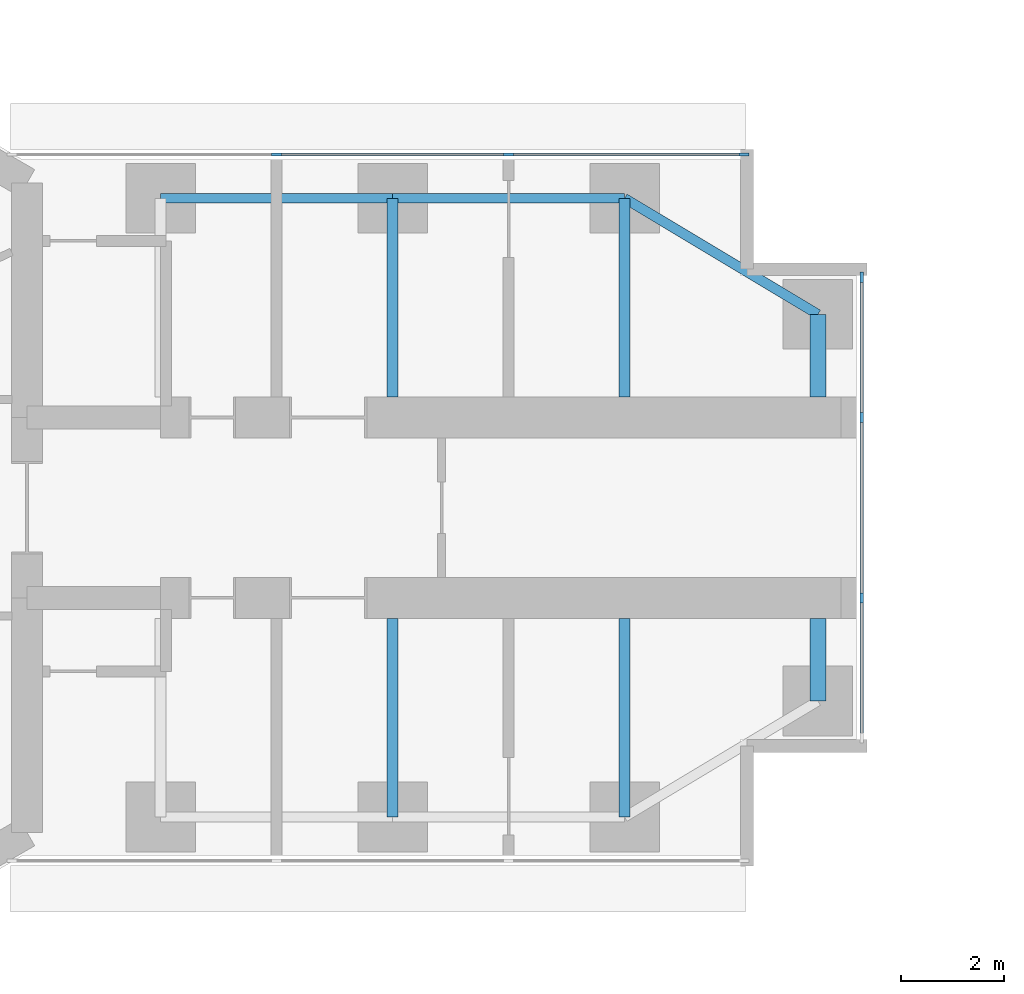
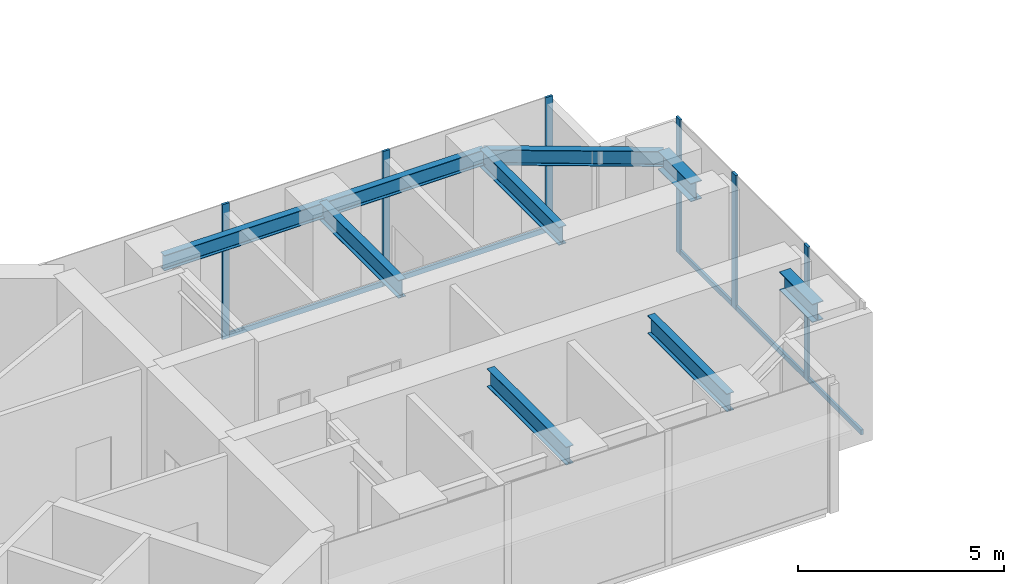
# One storey, part 7 of 21: 11 members, 9 beams, 2 elements without a shape of their own.
"""IFC4 building model written with IfcOpenShell, lengths in metres."""

import ifcopenshell
import ifcopenshell.guid

model = None  # the IFC model being written
_history = None  # IfcOwnerHistory: only IFC2X3 demands one
_inside = {}  # id of a spatial element -> (the spatial element, [elements in it])
_under = {}  # id of a project, library or spatial element -> (it, [spatial elements below it])
_declared = {}  # id of a project -> (the project, [libraries it declares])
_typed = {}  # id of a type object -> (the type object, [elements of that type])
_made_of = {}  # id of a material, layer set ... -> (it, [elements and type objects made of it])


def new_model(schema):
    """Start an empty IFC model of exactly this schema.

    Asked for "IFC4X3", IfcOpenShell would pick the latest addendum, in which some entities
    have other attributes; the version numbers below select the first issue.
    IFC2X3 requires an IfcOwnerHistory on every rooted entity: one is made here for all.
    """
    global model, _history
    if schema == "IFC4X3":
        model = ifcopenshell.file(schema_version=(4, 3, 0, 0))
    else:
        model = ifcopenshell.file(schema=schema)
    _inside.clear()
    _under.clear()
    _declared.clear()
    _typed.clear()
    _made_of.clear()
    _history = None
    if model.schema == "IFC2X3":
        org = make("IfcOrganization", Name="unknown")
        user = make(
            "IfcPersonAndOrganization",
            ThePerson=make("IfcPerson", FamilyName="unknown"),
            TheOrganization=org,
        )
        app = make(
            "IfcApplication",
            ApplicationDeveloper=org,
            Version="unknown",
            ApplicationFullName="unknown",
            ApplicationIdentifier="unknown",
        )
        _history = make(
            "IfcOwnerHistory",
            OwningUser=user,
            OwningApplication=app,
            ChangeAction="ADDED",
            CreationDate=0,
        )
    return model


def make(cls, **values):
    """One entity of the class cls with the attributes given. An attribute that is None is left unset."""
    return model.create_entity(
        cls, **{name: value for name, value in values.items() if value is not None}
    )


def rooted(cls, **values):
    """An entity with a GlobalId (a new one), such as an element, a storey or a relation."""
    return make(cls, GlobalId=ifcopenshell.guid.new(), OwnerHistory=_history, **values)


def si_unit(unit_type, name, prefix=None):
    """IfcSIUnit, for example si_unit("LENGTHUNIT", "METRE", prefix="MILLI")."""
    return make("IfcSIUnit", UnitType=unit_type, Prefix=prefix, Name=name)


def assignment(units):
    """IfcUnitAssignment: the units of a project."""
    return None if units is None else make("IfcUnitAssignment", Units=units)


def point(xyz):
    """IfcCartesianPoint."""
    return None if xyz is None else make("IfcCartesianPoint", Coordinates=xyz)


def direction(xyz):
    """IfcDirection."""
    return None if xyz is None else make("IfcDirection", DirectionRatios=xyz)


def frame(location, z_axis=None, x_axis=None):
    """IfcAxis2Placement3D, a coordinate frame: its origin and axes. An axis left out is left unset."""
    return make(
        "IfcAxis2Placement3D",
        Location=point(location),
        Axis=direction(z_axis),
        RefDirection=direction(x_axis),
    )


def frame_2d(location, x_axis=None):
    """IfcAxis2Placement2D, a coordinate frame in the plane: its origin and x axis."""
    return make(
        "IfcAxis2Placement2D", Location=point(location), RefDirection=direction(x_axis)
    )


def origin():
    """The frame at (0, 0, 0) with its axes left unset."""
    return frame((0.0, 0.0, 0.0))


def origin_2d():
    """The frame at (0, 0) in the plane with its x axis left unset."""
    return frame_2d((0.0, 0.0))


def place(relative_to, where):
    """IfcLocalPlacement: puts the frame where relative to a parent placement (None: the world)."""
    return make(
        "IfcLocalPlacement", PlacementRelTo=relative_to, RelativePlacement=where
    )


def context(
    kind, dimensions, precision=None, world=None, true_north=None, identifier=None
):
    """IfcGeometricRepresentationContext, for example the 3D "Model" context."""
    return make(
        "IfcGeometricRepresentationContext",
        ContextIdentifier=identifier,
        ContextType=kind,
        CoordinateSpaceDimension=dimensions,
        Precision=precision,
        WorldCoordinateSystem=world,
        TrueNorth=true_north,
    )


def subcontext(parent, identifier, kind, view, scale=None):
    """IfcGeometricRepresentationSubContext, for example "Body" below "Model"."""
    return make(
        "IfcGeometricRepresentationSubContext",
        ContextIdentifier=identifier,
        ContextType=kind,
        ParentContext=parent,
        TargetScale=scale,
        TargetView=view,
    )


def project(units=None, contexts=None):
    """IfcProject with its units and contexts."""
    return rooted(
        "IfcProject",
        Name="project",
        RepresentationContexts=contexts,
        UnitsInContext=assignment(units),
    )


def spatial(cls, under=None, at=None, **own):
    """A site, building, storey or space (cls), placed at a placement, below another one or the project."""
    s = rooted(cls, ObjectPlacement=at, **own)
    if under is not None:
        _under.setdefault(under.id(), (under, []))[1].append(s)
    return s


def profile(cls, at=None, kind="AREA", **sizes):
    """A parametric profile (cls). Its sizes go by their IFC names, for example OverallWidth=200.0."""
    return make(cls, ProfileType=kind, Position=at, **sizes)


def rectangle(**sizes):
    """IfcRectangleProfileDef."""
    return profile("IfcRectangleProfileDef", **sizes)


def i_section(**sizes):
    """IfcIShapeProfileDef."""
    return profile("IfcIShapeProfileDef", **sizes)


def extrude(swept, where, along, depth):
    """IfcExtrudedAreaSolid: the profile swept, set in the frame where, extruded along a direction by depth."""
    return make(
        "IfcExtrudedAreaSolid",
        SweptArea=swept,
        Position=where,
        ExtrudedDirection=direction(along),
        Depth=depth,
    )


def shape(context_of_items, identifier, shape_type, items):
    """IfcShapeRepresentation: the items that make up one representation, for example the "Body"."""
    return make(
        "IfcShapeRepresentation",
        ContextOfItems=context_of_items,
        RepresentationIdentifier=identifier,
        RepresentationType=shape_type,
        Items=items,
    )


def material(Name=None, Category=None):
    """IfcMaterial."""
    return make("IfcMaterial", Name=Name, Category=Category)


def material_profile(
    of_material, cross_section, Name=None, Category=None, Priority=None
):
    """IfcMaterialProfile: a cross section and its material."""
    return make(
        "IfcMaterialProfile",
        Name=Name,
        Material=of_material,
        Profile=cross_section,
        Priority=Priority,
        Category=Category,
    )


def profile_set(profiles, Name=None, composite=None):
    """IfcMaterialProfileSet."""
    return make(
        "IfcMaterialProfileSet",
        Name=Name,
        MaterialProfiles=profiles,
        CompositeProfile=composite,
    )


def made_of(thing, what):
    """Note that an element or type object is made of a material, layer set ...; save() writes the relation."""
    if what is not None:
        _made_of.setdefault(what.id(), (what, []))[1].append(thing)
    return thing


def type_object(cls, material=None, **own):
    """A type object (cls), such as IfcWallType, which elements share."""
    return made_of(rooted(cls, **own), material)


def element(
    cls,
    number,
    at=None,
    inside=None,
    cuts=None,
    type_object=None,
    material=None,
    context=None,
    identifier="Body",
    shape_type=None,
    held_by="IfcProductDefinitionShape",
    body=None,
    shapes=None,
    **own,
):
    """One element of the class cls, such as IfcWall. Its Tag is "e" and its number.

    at: its placement. inside: the storey or other place that contains it. cuts: it is an
    opening in that element (IfcRelVoidsElement). A single representation is given by context,
    identifier, shape_type and body (its items); several are given by shapes. held_by: the class
    of the entity that holds the representations. save() writes the other relations.
    """
    e = rooted(cls, Tag="e%d" % number, ObjectPlacement=at, **own)
    if body is not None:
        shapes = [shape(context, identifier, shape_type, body)]
    if shapes is not None:
        e.Representation = make(held_by, Representations=shapes)
    if inside is not None:
        _inside.setdefault(inside.id(), (inside, []))[1].append(e)
    if cuts is not None:
        rooted(
            "IfcRelVoidsElement", RelatingBuildingElement=cuts, RelatedOpeningElement=e
        )
    if type_object is not None:
        _typed.setdefault(type_object.id(), (type_object, []))[1].append(e)
    return made_of(e, material)


def aggregate(whole, parts):
    """IfcRelAggregates: a whole, such as a stair, and the parts it consists of."""
    return rooted("IfcRelAggregates", RelatingObject=whole, RelatedObjects=parts)


def save(model, path):
    """Write the relations noted so far, then the file.

    IfcRelAggregates (storeys below a building ...), IfcRelContainedInSpatialStructure (elements
    in a storey), IfcRelDefinesByType, IfcRelAssociatesMaterial and IfcRelDeclares: one each for
    every whole, place, type object, material and project.
    """
    for whole, parts in _under.values():
        aggregate(whole, parts)
    for where, things in _inside.values():
        rooted(
            "IfcRelContainedInSpatialStructure",
            RelatedElements=things,
            RelatingStructure=where,
        )
    for kind, things in _typed.values():
        rooted("IfcRelDefinesByType", RelatedObjects=things, RelatingType=kind)
    for what, things in _made_of.values():
        rooted("IfcRelAssociatesMaterial", RelatedObjects=things, RelatingMaterial=what)
    for by, libraries in _declared.values():
        rooted("IfcRelDeclares", RelatingContext=by, RelatedDefinitions=libraries)
    model.write(path)


model = new_model("IFC4")

# Units and contexts
model_context = context("Model", 3, precision=1e-05, world=origin(), true_north=direction((0.0, 1.0)))
body_context = subcontext(model_context, "Body", "Model", "MODEL_VIEW")
ifc_project = project(units=[si_unit("LENGTHUNIT", "METRE"), si_unit("AREAUNIT", "SQUARE_METRE"), si_unit("VOLUMEUNIT", "CUBIC_METRE"), si_unit("PLANEANGLEUNIT", "RADIAN"), si_unit("MASSUNIT", "GRAM", prefix="KILO")], contexts=[model_context])

# Site, building, storey
site_placement = place(None, origin())
site = spatial("IfcSite", under=ifc_project, at=site_placement, CompositionType="ELEMENT")
building_placement = place(site_placement, origin())
building = spatial("IfcBuilding", under=site, at=building_placement, Name="Upepo Twin Towers", CompositionType="ELEMENT")
storey_placement = place(building_placement, frame((0.0, 0.0, 113.5)))
storey = spatial("IfcBuildingStorey", under=building, at=storey_placement, Name="L27", CompositionType="ELEMENT", Elevation=113.5)

# Beams
ifc_material_1 = material(Name="Steel S355", Category="steel")
ifc_material_profile_1 = material_profile(ifc_material_1, i_section(OverallWidth=0.1904296875, OverallDepth=0.45703125, WebThickness=0.009033203125, FlangeThickness=0.014404296875, FilletRadius=0.01025390625, at=origin_2d()), Name="UB 457x191x74")
ifc_profile_set_1 = profile_set([ifc_material_profile_1], Name="Steel S355")
beam_type_1 = type_object("IfcBeamType", Name="Beam UB 457x191x74", PredefinedType="BEAM", material=ifc_profile_set_1)
for number, where, z_axis, x_axis, name in (
    (1, (13.5, 6.0, 3.571533203125), (1.0, 0.0, 0.0), (0.0, 1.0, 0.0), "T1 edge beam AL 13.5-18.0"),
    (2, (18.0, 6.0, 3.571533203125), (1.0, 0.0, 0.0), (0.0, 1.0, 0.0), "T1 edge beam AL 18.0-22.5"),
):
    element("IfcBeam", number, at=place(storey_placement, frame(where, z_axis=z_axis, x_axis=x_axis)), inside=storey, type_object=beam_type_1, Name=name, PredefinedType="BEAM", context=body_context, shape_type="SweptSolid", body=[
        extrude(i_section(OverallWidth=0.1904296875, OverallDepth=0.45703125, WebThickness=0.009033203125, FlangeThickness=0.014404296875, FilletRadius=0.01025390625, at=origin_2d()), origin(), (0.0, 0.0, 1.0), 4.5),
    ])
beam_placement = place(storey_placement, frame((22.5, 6.0, 3.571533203125), z_axis=(0.857492925713, -0.514495755428, 0.0), x_axis=(0.514495755428, 0.857492925713, 0.0)))
element("IfcBeam", 3, at=beam_placement, inside=storey, type_object=beam_type_1, Name="T1 nose edge beam AL", PredefinedType="BEAM", context=body_context, shape_type="SweptSolid", body=[
    extrude(i_section(OverallWidth=0.1904296875, OverallDepth=0.45703125, WebThickness=0.009033203125, FlangeThickness=0.014404296875, FilletRadius=0.01025390625, at=origin_2d()), origin(), (0.0, 0.0, 1.0), 4.373291015625),
])
ifc_material_2 = material(Name="Steel S355", Category="steel")
ifc_material_profile_2 = material_profile(ifc_material_2, i_section(OverallWidth=0.209228515625, OverallDepth=0.533203125, WebThickness=0.010009765625, FlangeThickness=0.015625, FilletRadius=0.0126953125, at=origin_2d()), Name="UB 533x210x92")
ifc_profile_set_2 = profile_set([ifc_material_profile_2], Name="Steel S355")
beam_type_2 = type_object("IfcBeamType", Name="Beam UB 533x210x92", PredefinedType="BEAM", material=ifc_profile_set_2)
for number, where, z_axis, x_axis, name in (
    (4, (18.0, 6.0, 3.533447265625), (0.0, -1.0, 0.0), (1.0, 0.0, 0.0), "T1 girder AL at 18.0"),
    (5, (22.5, 6.0, 3.533447265625), (0.0, -1.0, 0.0), (1.0, 0.0, 0.0), "T1 girder AL at 22.5"),
    (6, (18.0, -6.0, 3.533447265625), (0.0, 1.0, 0.0), (-1.0, 0.0, 0.0), "T1 girder AR at 18.0"),
    (7, (22.5, -6.0, 3.533447265625), (0.0, 1.0, 0.0), (-1.0, 0.0, 0.0), "T1 girder AR at 22.5"),
):
    element("IfcBeam", number, at=place(storey_placement, frame(where, z_axis=z_axis, x_axis=x_axis)), inside=storey, type_object=beam_type_2, Name=name, PredefinedType="BEAM", context=body_context, shape_type="SweptSolid", body=[
        extrude(i_section(OverallWidth=0.209228515625, OverallDepth=0.533203125, WebThickness=0.010009765625, FlangeThickness=0.015625, FilletRadius=0.0126953125, at=origin_2d()), origin(), (0.0, 0.0, 1.0), 3.85009765625),
    ])
ifc_material_3 = material(Name="Steel S355", Category="steel")
ifc_material_profile_3 = material_profile(ifc_material_3, i_section(OverallWidth=0.31201171875, OverallDepth=0.54345703125, WebThickness=0.0126953125, FlangeThickness=0.020263671875, FilletRadius=0.0126953125, at=origin_2d()), Name="UB 533x312x150")
ifc_profile_set_3 = profile_set([ifc_material_profile_3], Name="Steel S355")
beam_type_3 = type_object("IfcBeamType", Name="Beam UB 533x312x150", PredefinedType="BEAM", material=ifc_profile_set_3)
for number, where, z_axis, x_axis, name in (
    (8, (26.25, 3.75, 3.5283203125), (0.0, -1.0, 0.0), (1.0, 0.0, 0.0), "T1 nose beam AL"),
    (9, (26.25, -3.75, 3.5283203125), (0.0, 1.0, 0.0), (-1.0, 0.0, 0.0), "T1 nose beam AR"),
):
    element("IfcBeam", number, at=place(storey_placement, frame(where, z_axis=z_axis, x_axis=x_axis)), inside=storey, type_object=beam_type_3, Name=name, PredefinedType="BEAM", context=body_context, shape_type="SweptSolid", body=[
        extrude(i_section(OverallWidth=0.31201171875, OverallDepth=0.54345703125, WebThickness=0.0126953125, FlangeThickness=0.020263671875, FilletRadius=0.0126953125, at=origin_2d()), origin(), (0.0, 0.0, 1.0), 1.60009765625),
    ])

# Curtain wall, members
ifc_material_4 = material(Name="Aluminium and fritted glass", Category="aluminium")
curtain_wall_type = type_object("IfcCurtainWallType", Name="Tower curtain wall TW2, fritted glass", PredefinedType="NOTDEFINED", material=ifc_material_4)
curtain_wall_1_placement = place(storey_placement, origin())
curtain_wall_1 = element("IfcCurtainWall", 10, at=curtain_wall_1_placement, inside=storey, type_object=curtain_wall_type, Name="T1 L27 wing A flank L curtain wall", PredefinedType="NOTDEFINED")
ifc_material_5 = material(Name="Aluminium mullion", Category="aluminium")
ifc_material_profile_4 = material_profile(ifc_material_5, rectangle(XDim=0.06494140625, YDim=0.199951171875, at=origin_2d()), Name="MULLION 65x200")
ifc_profile_set_4 = profile_set([ifc_material_profile_4], Name="Aluminium mullion")
member_type_1 = type_object("IfcMemberType", Name="Mullion 65x200 TW2", PredefinedType="MULLION", material=ifc_profile_set_4)
member_1_placement = place(storey_placement, frame((15.75, 6.85009765625, 0.0), z_axis=(0.0, 0.0, 1.0), x_axis=(0.0, 1.0, 0.0)))
member_1 = element("IfcMember", 11, at=member_1_placement, type_object=member_type_1, Name="T1 L27 wing A flank L curtain wall mullion 2", PredefinedType="MULLION", context=body_context, shape_type="SweptSolid", body=[
    extrude(rectangle(XDim=0.06494140625, YDim=0.199951171875, at=origin_2d()), origin(), (0.0, 0.0, 1.0), 4.0),
])
member_2_placement = place(storey_placement, frame((20.25, 6.85009765625, 0.0), z_axis=(0.0, 0.0, 1.0), x_axis=(0.0, 1.0, 0.0)))
member_2 = element("IfcMember", 12, at=member_2_placement, type_object=member_type_1, Name="T1 L27 wing A flank L curtain wall mullion 3", PredefinedType="MULLION", context=body_context, shape_type="SweptSolid", body=[
    extrude(rectangle(XDim=0.06494140625, YDim=0.199951171875, at=origin_2d()), origin(), (0.0, 0.0, 1.0), 4.0),
])
member_3_placement = place(storey_placement, frame((24.8173828125, 6.85009765625, 0.0), z_axis=(0.0, 0.0, 1.0), x_axis=(0.0, 1.0, 0.0)))
member_3 = element("IfcMember", 13, at=member_3_placement, type_object=member_type_1, Name="T1 L27 wing A flank L curtain wall mullion 4", PredefinedType="MULLION", context=body_context, shape_type="SweptSolid", body=[
    extrude(rectangle(XDim=0.06494140625, YDim=0.199951171875, at=origin_2d()), origin(), (0.0, 0.0, 1.0), 4.0),
])

curtain_wall_2_placement = place(storey_placement, origin())
curtain_wall_2 = element("IfcCurtainWall", 14, at=curtain_wall_2_placement, inside=storey, type_object=curtain_wall_type, Name="T1 L27 wing A nose curtain wall", PredefinedType="NOTDEFINED")
member_4_placement = place(storey_placement, frame((27.10009765625, -1.75, 0.0), z_axis=(0.0, 0.0, 1.0), x_axis=(-1.0, 0.0, 0.0)))
member_4 = element("IfcMember", 15, at=member_4_placement, type_object=member_type_1, Name="T1 L27 wing A nose curtain wall mullion 2", PredefinedType="MULLION", context=body_context, shape_type="SweptSolid", body=[
    extrude(rectangle(XDim=0.06494140625, YDim=0.199951171875, at=origin_2d()), origin(), (0.0, 0.0, 1.0), 4.0),
])
member_5_placement = place(storey_placement, frame((27.10009765625, 1.75, 0.0), z_axis=(0.0, 0.0, 1.0), x_axis=(-1.0, 0.0, 0.0)))
member_5 = element("IfcMember", 16, at=member_5_placement, type_object=member_type_1, Name="T1 L27 wing A nose curtain wall mullion 3", PredefinedType="MULLION", context=body_context, shape_type="SweptSolid", body=[
    extrude(rectangle(XDim=0.06494140625, YDim=0.199951171875, at=origin_2d()), origin(), (0.0, 0.0, 1.0), 4.0),
])
member_6_placement = place(storey_placement, frame((27.10009765625, 4.467529296875, 0.0), z_axis=(0.0, 0.0, 1.0), x_axis=(-1.0, 0.0, 0.0)))
member_6 = element("IfcMember", 17, at=member_6_placement, type_object=member_type_1, Name="T1 L27 wing A nose curtain wall mullion 4", PredefinedType="MULLION", context=body_context, shape_type="SweptSolid", body=[
    extrude(rectangle(XDim=0.06494140625, YDim=0.199951171875, at=origin_2d()), origin(), (0.0, 0.0, 1.0), 4.0),
])

# Member
ifc_material_6 = material(Name="Aluminium transom", Category="aluminium")
ifc_material_profile_5 = material_profile(ifc_material_6, rectangle(XDim=0.06494140625, YDim=0.14990234375, at=origin_2d()), Name="TRANSOM 65x150")
ifc_profile_set_5 = profile_set([ifc_material_profile_5], Name="Aluminium transom")
member_type_2 = type_object("IfcMemberType", Name="Transom 65x150 TW2", PredefinedType="USERDEFINED", material=ifc_profile_set_5)
member_7_placement = place(storey_placement, frame((15.782470703125, 6.85009765625, 0.074951171875), z_axis=(1.0, 0.0, 0.0), x_axis=(0.0, 1.0, 0.0)))
member_7 = element("IfcMember", 18, at=member_7_placement, type_object=member_type_2, Name="T1 L27 wing A flank L curtain wall transom 2", ObjectType="TRANSOM", PredefinedType="USERDEFINED", context=body_context, shape_type="SweptSolid", body=[
    extrude(rectangle(XDim=0.06494140625, YDim=0.14990234375, at=origin_2d()), origin(), (0.0, 0.0, 1.0), 4.43505859375),
])

member_8_placement = place(storey_placement, frame((20.282470703125, 6.85009765625, 0.074951171875), z_axis=(1.0, 0.0, 0.0), x_axis=(0.0, 1.0, 0.0)))
member_8 = element("IfcMember", 19, at=member_8_placement, type_object=member_type_2, Name="T1 L27 wing A flank L curtain wall transom 3", ObjectType="TRANSOM", PredefinedType="USERDEFINED", context=body_context, shape_type="SweptSolid", body=[
    extrude(rectangle(XDim=0.06494140625, YDim=0.14990234375, at=origin_2d()), origin(), (0.0, 0.0, 1.0), 4.50244140625),
])

aggregate(curtain_wall_1, [member_1, member_2, member_3, member_7, member_8])

member_9_placement = place(storey_placement, frame((27.10009765625, -4.43505859375, 0.074951171875), z_axis=(0.0, 1.0, 0.0), x_axis=(-1.0, 0.0, 0.0)))
member_9 = element("IfcMember", 20, at=member_9_placement, type_object=member_type_2, Name="T1 L27 wing A nose curtain wall transom 1", ObjectType="TRANSOM", PredefinedType="USERDEFINED", context=body_context, shape_type="SweptSolid", body=[
    extrude(rectangle(XDim=0.06494140625, YDim=0.14990234375, at=origin_2d()), origin(), (0.0, 0.0, 1.0), 2.652587890625),
])

member_10_placement = place(storey_placement, frame((27.10009765625, -1.717529296875, 0.074951171875), z_axis=(0.0, 1.0, 0.0), x_axis=(-1.0, 0.0, 0.0)))
member_10 = element("IfcMember", 21, at=member_10_placement, type_object=member_type_2, Name="T1 L27 wing A nose curtain wall transom 2", ObjectType="TRANSOM", PredefinedType="USERDEFINED", context=body_context, shape_type="SweptSolid", body=[
    extrude(rectangle(XDim=0.06494140625, YDim=0.14990234375, at=origin_2d()), origin(), (0.0, 0.0, 1.0), 3.43505859375),
])

member_11_placement = place(storey_placement, frame((27.10009765625, 1.782470703125, 0.074951171875), z_axis=(0.0, 1.0, 0.0), x_axis=(-1.0, 0.0, 0.0)))
member_11 = element("IfcMember", 22, at=member_11_placement, type_object=member_type_2, Name="T1 L27 wing A nose curtain wall transom 3", ObjectType="TRANSOM", PredefinedType="USERDEFINED", context=body_context, shape_type="SweptSolid", body=[
    extrude(rectangle(XDim=0.06494140625, YDim=0.14990234375, at=origin_2d()), origin(), (0.0, 0.0, 1.0), 2.652587890625),
])

aggregate(curtain_wall_2, [member_4, member_5, member_6, member_9, member_10, member_11])

save(model, "model.ifc")
